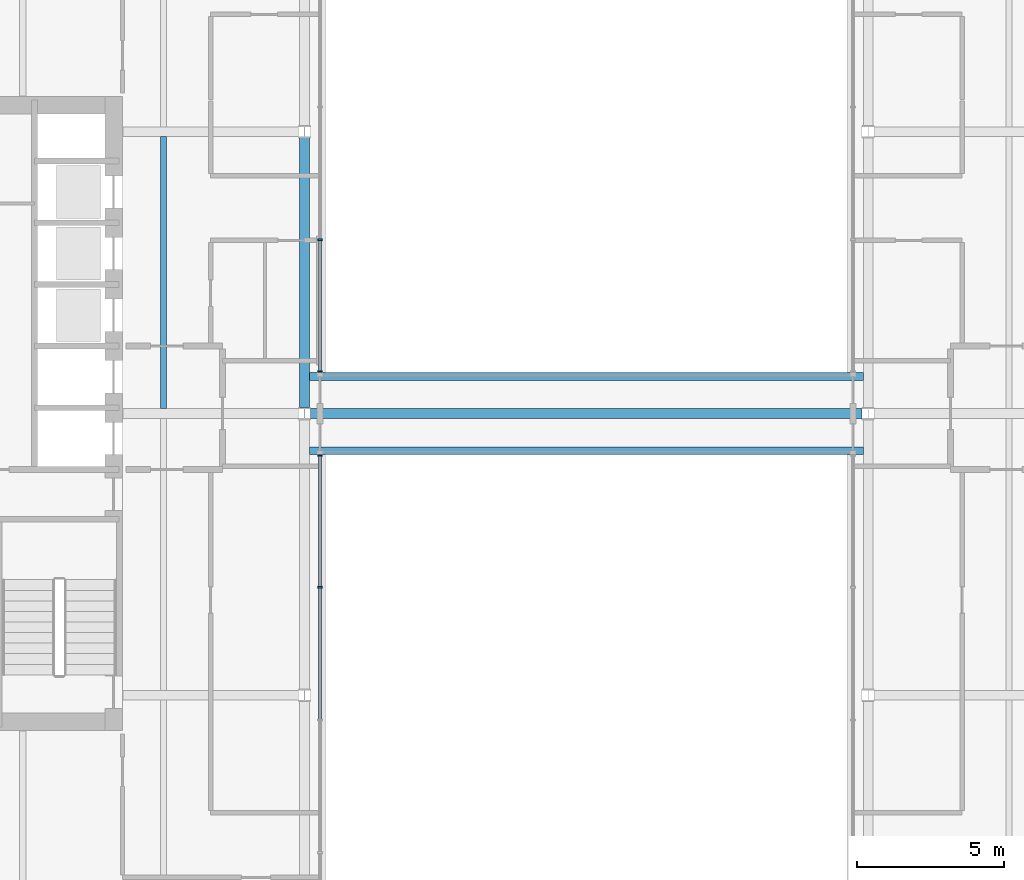
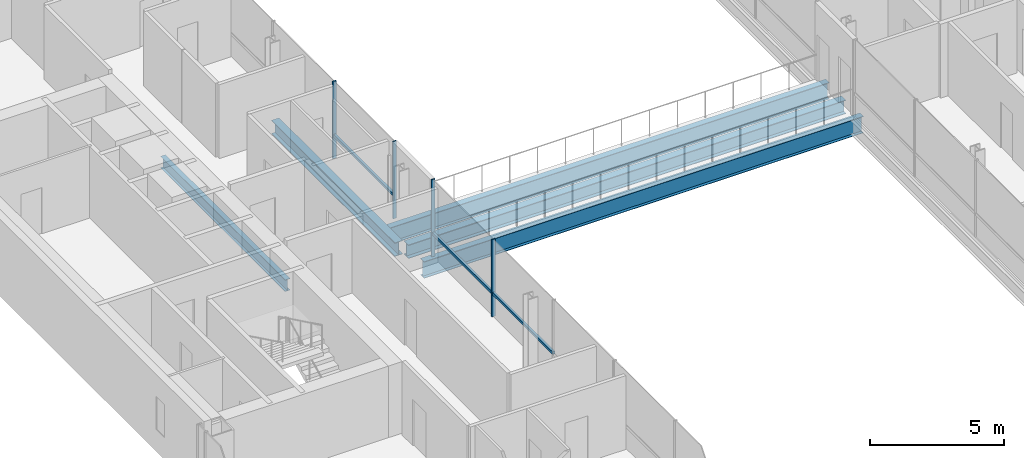
# One storey, part 3 of 21: 7 members, 5 beams, 2 elements without a shape of their own.
"""IFC4 building model written with IfcOpenShell, lengths in metres."""

from ifc_helpers import new_model, si_unit, direction, frame, origin, origin_2d, place, context, subcontext, project, spatial, rectangle, i_section, extrude, material, material_profile, profile_set, type_object, element, aggregate, save


model = new_model("IFC4")

# Units and contexts
model_context = context("Model", 3, precision=1e-05, world=origin(), true_north=direction((0.0, 1.0)))
body_context = subcontext(model_context, "Body", "Model", "MODEL_VIEW")
ifc_project = project(units=[si_unit("LENGTHUNIT", "METRE"), si_unit("AREAUNIT", "SQUARE_METRE"), si_unit("VOLUMEUNIT", "CUBIC_METRE"), si_unit("PLANEANGLEUNIT", "RADIAN"), si_unit("MASSUNIT", "GRAM", prefix="KILO")], contexts=[model_context])

# Site, building, storey
site_placement = place(None, origin())
site = spatial("IfcSite", under=ifc_project, at=site_placement, CompositionType="ELEMENT")
building_placement = place(site_placement, origin())
building = spatial("IfcBuilding", under=site, at=building_placement, Name="Cobrizo Arcos Hotel Tower", CompositionType="ELEMENT")
storey_placement = place(building_placement, frame((0.0, 0.0, 74.0)))
storey = spatial("IfcBuildingStorey", under=building, at=storey_placement, Name="L17", CompositionType="ELEMENT", Elevation=74.0)

# Curtain wall, members
ifc_material_1 = material(Name="Aluminium 6063-T6 anodised bronze", Category="aluminium")
curtain_wall_type = type_object("IfcCurtainWallType", Name="CW-F void screen", PredefinedType="NOTDEFINED", material=ifc_material_1)
curtain_wall_1_placement = place(storey_placement, origin())
curtain_wall_1 = element("IfcCurtainWall", 1, at=curtain_wall_1_placement, inside=storey, type_object=curtain_wall_type, Name="CW-F L17 void screen A", PredefinedType="NOTDEFINED")
ifc_material_profile_1 = material_profile(ifc_material_1, rectangle(XDim=0.14990234375, YDim=0.06005859375, at=origin_2d()), Name="CW-F mullion 150x60")
ifc_profile_set_1 = profile_set([ifc_material_profile_1], Name="Aluminium 6063-T6 anodised bronze")
member_type_1 = type_object("IfcMemberType", Name="CW-F mullion 150x60", PredefinedType="MULLION", material=ifc_profile_set_1)
member_1_placement = place(storey_placement, frame((-9.074951171875, 5.919921875, 0.0), z_axis=(0.0, 0.0, 1.0), x_axis=(-1.0, 0.0, 0.0)))
member_1 = element("IfcMember", 2, at=member_1_placement, type_object=member_type_1, Name="CW-F mullion 5", PredefinedType="MULLION", context=body_context, shape_type="SweptSolid", body=[
    extrude(rectangle(XDim=0.14990234375, YDim=0.06005859375, at=origin_2d()), origin(), (0.0, 0.0, 1.0), 3.5),
])
member_2_placement = place(storey_placement, frame((-9.074951171875, 1.429931640625, 0.0), z_axis=(0.0, 0.0, 1.0), x_axis=(-1.0, 0.0, 0.0)))
member_2 = element("IfcMember", 3, at=member_2_placement, type_object=member_type_1, Name="CW-F mullion 6", PredefinedType="MULLION", context=body_context, shape_type="SweptSolid", body=[
    extrude(rectangle(XDim=0.14990234375, YDim=0.06005859375, at=origin_2d()), origin(), (0.0, 0.0, 1.0), 3.5),
])

curtain_wall_2_placement = place(storey_placement, origin())
curtain_wall_2 = element("IfcCurtainWall", 4, at=curtain_wall_2_placement, inside=storey, type_object=curtain_wall_type, Name="CW-F L17 void screen A", PredefinedType="NOTDEFINED")
member_3_placement = place(storey_placement, frame((-9.074951171875, -1.429931640625, 0.0), z_axis=(0.0, 0.0, 1.0), x_axis=(-1.0, 0.0, 0.0)))
member_3 = element("IfcMember", 5, at=member_3_placement, type_object=member_type_1, Name="CW-F mullion 1", PredefinedType="MULLION", context=body_context, shape_type="SweptSolid", body=[
    extrude(rectangle(XDim=0.14990234375, YDim=0.06005859375, at=origin_2d()), origin(), (0.0, 0.0, 1.0), 3.5),
])
member_4_placement = place(storey_placement, frame((-9.074951171875, -5.919921875, 0.0), z_axis=(0.0, 0.0, 1.0), x_axis=(-1.0, 0.0, 0.0)))
member_4 = element("IfcMember", 6, at=member_4_placement, type_object=member_type_1, Name="CW-F mullion 2", PredefinedType="MULLION", context=body_context, shape_type="SweptSolid", body=[
    extrude(rectangle(XDim=0.14990234375, YDim=0.06005859375, at=origin_2d()), origin(), (0.0, 0.0, 1.0), 3.5),
])

# Member
ifc_material_profile_2 = material_profile(ifc_material_1, rectangle(XDim=0.10009765625, YDim=0.1201171875, at=origin_2d()), Name="CW-F transom 120x100")
ifc_profile_set_2 = profile_set([ifc_material_profile_2], Name="Aluminium 6063-T6 anodised bronze")
member_type_2 = type_object("IfcMemberType", Name="CW-F transom 120x100", PredefinedType="USERDEFINED", material=ifc_profile_set_2)
member_5_placement = place(storey_placement, frame((-9.074951171875, 5.889892578125, 1.050048828125), z_axis=(0.0, -1.0, 0.0), x_axis=(1.0, 0.0, 0.0)))
member_5 = element("IfcMember", 7, at=member_5_placement, type_object=member_type_2, Name="CW-F transom 2522", ObjectType="TRANSOM", PredefinedType="USERDEFINED", context=body_context, shape_type="SweptSolid", body=[
    extrude(rectangle(XDim=0.10009765625, YDim=0.1201171875, at=origin_2d()), origin(), (0.0, 0.0, 1.0), 4.429931640625),
])

aggregate(curtain_wall_1, [member_1, member_2, member_5])

member_6_placement = place(storey_placement, frame((-9.074951171875, -1.4599609375, 1.050048828125), z_axis=(0.0, -1.0, 0.0), x_axis=(1.0, 0.0, 0.0)))
member_6 = element("IfcMember", 8, at=member_6_placement, type_object=member_type_2, Name="CW-F transom 2523", ObjectType="TRANSOM", PredefinedType="USERDEFINED", context=body_context, shape_type="SweptSolid", body=[
    extrude(rectangle(XDim=0.10009765625, YDim=0.1201171875, at=origin_2d()), origin(), (0.0, 0.0, 1.0), 4.429931640625),
])

member_7_placement = place(storey_placement, frame((-9.074951171875, -5.949951171875, 1.050048828125), z_axis=(0.0, -1.0, 0.0), x_axis=(1.0, 0.0, 0.0)))
member_7 = element("IfcMember", 9, at=member_7_placement, type_object=member_type_2, Name="CW-F transom 2524", ObjectType="TRANSOM", PredefinedType="USERDEFINED", context=body_context, shape_type="SweptSolid", body=[
    extrude(rectangle(XDim=0.10009765625, YDim=0.1201171875, at=origin_2d()), origin(), (0.0, 0.0, 1.0), 4.4599609375),
])

aggregate(curtain_wall_2, [member_3, member_4, member_6, member_7])

# Beams
ifc_material_2 = material(Name="Steel ASTM A992 Grade 50", Category="steel")
ifc_material_profile_3 = material_profile(ifc_material_2, i_section(OverallWidth=0.209228515625, OverallDepth=0.533447265625, WebThickness=0.01025390625, FlangeThickness=0.015625, at=origin_2d()), Name="W21X62")
ifc_profile_set_3 = profile_set([ifc_material_profile_3], Name="Steel ASTM A992 Grade 50")
beam_type_1 = type_object("IfcBeamType", Name="W21X62 joist", PredefinedType="JOIST", material=ifc_profile_set_3)
beam_1_placement = place(storey_placement, frame((-14.39990234375, 0.163818359375, -0.416748046875), z_axis=(0.0, 1.0, 0.0), x_axis=(-1.0, 0.0, 0.0)))
element("IfcBeam", 10, at=beam_1_placement, inside=storey, type_object=beam_type_1, Name="Floor joist J1, L17, no. 005", PredefinedType="JOIST", context=body_context, shape_type="SweptSolid", body=[
    extrude(i_section(OverallWidth=0.209228515625, OverallDepth=0.533447265625, WebThickness=0.01025390625, FlangeThickness=0.015625, at=origin_2d()), origin(), (0.0, 0.0, 1.0), 9.272216796875),
])
ifc_material_profile_4 = material_profile(ifc_material_2, i_section(OverallWidth=0.32763671875, OverallDepth=0.622314453125, WebThickness=0.015380859375, FlangeThickness=0.0244140625, at=origin_2d()), Name="W24X131")
ifc_profile_set_4 = profile_set([ifc_material_profile_4], Name="Steel ASTM A992 Grade 50")
beam_type_2 = type_object("IfcBeamType", Name="W24X131 girder", PredefinedType="BEAM", material=ifc_profile_set_4)
beam_2_placement = place(storey_placement, frame((-9.3955078125, 0.0, -0.461181640625), z_axis=(1.0, 0.0, 0.0), x_axis=(0.0, 1.0, 0.0)))
element("IfcBeam", 11, at=beam_2_placement, inside=storey, type_object=beam_type_2, Name="Floor girder G1, L17, no. 004", PredefinedType="BEAM", context=body_context, shape_type="SweptSolid", body=[
    extrude(i_section(OverallWidth=0.32763671875, OverallDepth=0.622314453125, WebThickness=0.015380859375, FlangeThickness=0.0244140625, at=origin_2d()), origin(), (0.0, 0.0, 1.0), 18.791015625),
])
beam_3_placement = place(storey_placement, frame((-9.60009765625, 0.204345703125, -0.461181640625), z_axis=(0.0, 1.0, 0.0), x_axis=(-1.0, 0.0, 0.0)))
element("IfcBeam", 12, at=beam_3_placement, inside=storey, type_object=beam_type_2, Name="Floor girder G1, L17, no. 010", PredefinedType="BEAM", context=body_context, shape_type="SweptSolid", body=[
    extrude(i_section(OverallWidth=0.32763671875, OverallDepth=0.622314453125, WebThickness=0.015380859375, FlangeThickness=0.0244140625, at=origin_2d()), origin(), (0.0, 0.0, 1.0), 9.191162109375),
])
ifc_material_profile_5 = material_profile(ifc_material_2, i_section(OverallWidth=0.2666015625, OverallDepth=0.7568359375, WebThickness=0.013916015625, FlangeThickness=0.019287109375, at=origin_2d()), Name="W30X108")
ifc_profile_set_5 = profile_set([ifc_material_profile_5], Name="Steel ASTM A992 Grade 50")
beam_type_3 = type_object("IfcBeamType", Name="W30X108 bridge girder", PredefinedType="BEAM", material=ifc_profile_set_5)
for number, where, z_axis, x_axis, name in (
    (13, (-9.43603515625, -1.2666015625, -0.528564453125), (1.0, 0.0, 0.0), (0.0, 1.0, 0.0), "Bridge girder BG1, L17, no. 001"),
    (14, (-9.43603515625, 1.2666015625, -0.528564453125), (1.0, 0.0, 0.0), (0.0, 1.0, 0.0), "Bridge girder BG1, L17, no. 002"),
):
    element("IfcBeam", number, at=place(storey_placement, frame(where, z_axis=z_axis, x_axis=x_axis)), inside=storey, type_object=beam_type_3, Name=name, PredefinedType="BEAM", context=body_context, shape_type="SweptSolid", body=[
        extrude(i_section(OverallWidth=0.2666015625, OverallDepth=0.7568359375, WebThickness=0.013916015625, FlangeThickness=0.019287109375, at=origin_2d()), origin(), (0.0, 0.0, 1.0), 18.8720703125),
    ])

save(model, "model.ifc")
